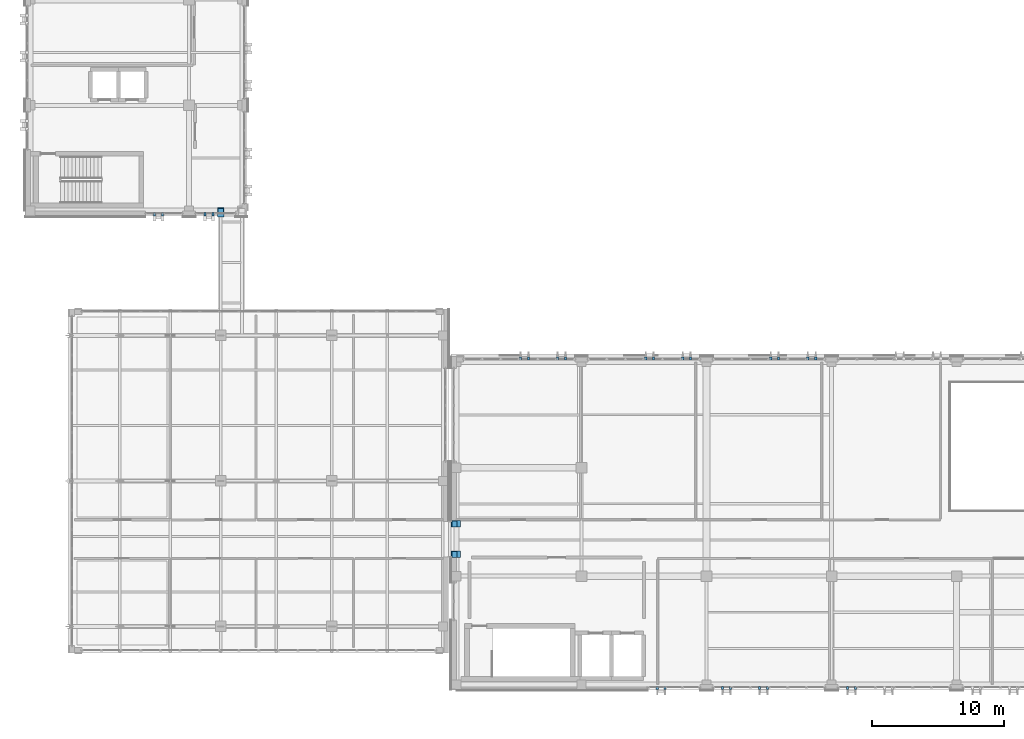
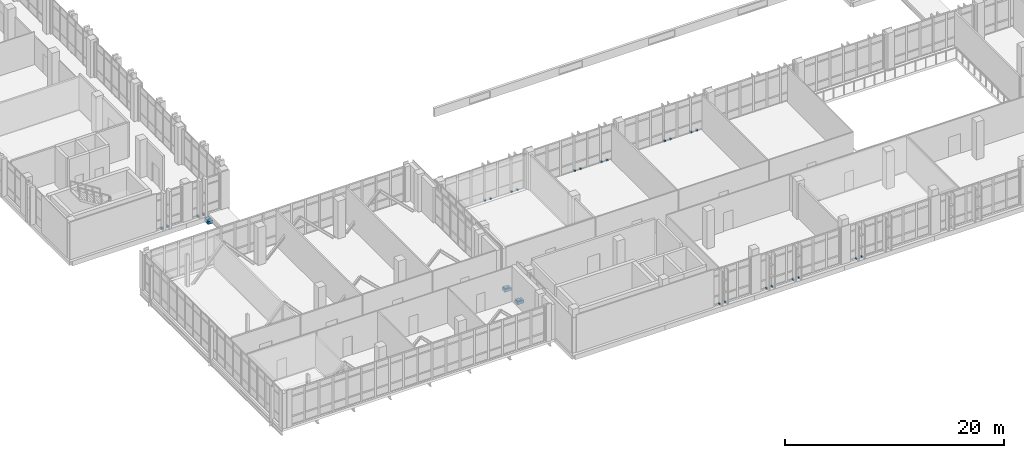
# One storey, part 137 of 158: 30 discrete accessories.
"""IFC4 building model written with IfcOpenShell, lengths in metres."""

from ifc_helpers import new_model, si_unit, direction, frame, origin, origin_2d, place, context, subcontext, project, spatial, rectangle, extrude, material, type_object, element, save


model = new_model("IFC4")

# Units and contexts
model_context = context("Model", 3, precision=1e-05, world=origin(), true_north=direction((0.0, 1.0)))
body_context = subcontext(model_context, "Body", "Model", "MODEL_VIEW")
ifc_project = project(units=[si_unit("LENGTHUNIT", "METRE"), si_unit("AREAUNIT", "SQUARE_METRE"), si_unit("VOLUMEUNIT", "CUBIC_METRE"), si_unit("PLANEANGLEUNIT", "RADIAN"), si_unit("MASSUNIT", "GRAM", prefix="KILO")], contexts=[model_context])

# Site, building, storey
site_placement = place(None, origin())
site = spatial("IfcSite", under=ifc_project, at=site_placement, CompositionType="ELEMENT")
building_placement = place(site_placement, origin())
building = spatial("IfcBuilding", under=site, at=building_placement, Name="Qalavern Law Courts", CompositionType="ELEMENT")
storey_placement = place(building_placement, frame((0.0, 0.0, 18.60009765625)))
storey = spatial("IfcBuildingStorey", under=building, at=storey_placement, Name="L04", CompositionType="ELEMENT", Elevation=18.60009765625)

# Discrete accessories
ifc_material_1 = material(Name="Steel S355", Category="steel")
discrete_accessory_type_1 = type_object("IfcDiscreteAccessoryType", Name="ENV-BRK-FIN", PredefinedType="BRACKET", material=ifc_material_1)
for number, where, z_axis, x_axis, name in (
    (1, (49.800048828125, 5.340087890625, -0.06982421875), (0.0, 0.0, 1.0), (0.0, -1.0, 0.0), "Stone blade anchor bracket 0145"),
    (2, (50.39990234375, 5.340087890625, -0.06982421875), (0.0, 0.0, 1.0), (0.0, -1.0, 0.0), "Stone blade anchor bracket 0146"),
    (3, (54.728515625, 5.340087890625, -0.06982421875), (0.0, 0.0, 1.0), (0.0, -1.0, 0.0), "Stone blade anchor bracket 0147"),
    (4, (55.32861328125, 5.340087890625, -0.06982421875), (0.0, 0.0, 1.0), (0.0, -1.0, 0.0), "Stone blade anchor bracket 0148"),
    (5, (57.528564453125, 5.340087890625, -0.06982421875), (0.0, 0.0, 1.0), (0.0, -1.0, 0.0), "Stone blade anchor bracket 0149"),
    (6, (58.128662109375, 5.340087890625, -0.06982421875), (0.0, 0.0, 1.0), (0.0, -1.0, 0.0), "Stone blade anchor bracket 0150"),
    (7, (64.182861328125, 5.340087890625, -0.06982421875), (0.0, 0.0, 1.0), (0.0, -1.0, 0.0), "Stone blade anchor bracket 0151"),
    (8, (64.782958984375, 5.340087890625, -0.06982421875), (0.0, 0.0, 1.0), (0.0, -1.0, 0.0), "Stone blade anchor bracket 0152"),
    (9, (61.782958984375, 30.260009765625, -0.06982421875), (0.0, 0.0, 1.0), (0.0, 1.0, 0.0), "Stone blade anchor bracket 0183"),
    (10, (61.182861328125, 30.260009765625, -0.06982421875), (0.0, 0.0, 1.0), (0.0, 1.0, 0.0), "Stone blade anchor bracket 0184"),
    (11, (58.98291015625, 30.260009765625, -0.06982421875), (0.0, 0.0, 1.0), (0.0, 1.0, 0.0), "Stone blade anchor bracket 0185"),
    (12, (58.3828125, 30.260009765625, -0.06982421875), (0.0, 0.0, 1.0), (0.0, 1.0, 0.0), "Stone blade anchor bracket 0186"),
    (13, (52.32861328125, 30.260009765625, -0.06982421875), (0.0, 0.0, 1.0), (0.0, 1.0, 0.0), "Stone blade anchor bracket 0187"),
    (14, (51.728515625, 30.260009765625, -0.06982421875), (0.0, 0.0, 1.0), (0.0, 1.0, 0.0), "Stone blade anchor bracket 0188"),
    (15, (49.528564453125, 30.260009765625, -0.06982421875), (0.0, 0.0, 1.0), (0.0, 1.0, 0.0), "Stone blade anchor bracket 0189"),
    (16, (48.9287109375, 30.260009765625, -0.06982421875), (0.0, 0.0, 1.0), (0.0, 1.0, 0.0), "Stone blade anchor bracket 0190"),
    (17, (42.874267578125, 30.260009765625, -0.06982421875), (0.0, 0.0, 1.0), (0.0, 1.0, 0.0), "Stone blade anchor bracket 0191"),
    (18, (42.2744140625, 30.260009765625, -0.06982421875), (0.0, 0.0, 1.0), (0.0, 1.0, 0.0), "Stone blade anchor bracket 0192"),
    (19, (40.07421875, 30.260009765625, -0.06982421875), (0.0, 0.0, 1.0), (0.0, 1.0, 0.0), "Stone blade anchor bracket 0193"),
    (20, (39.474365234375, 30.260009765625, -0.06982421875), (0.0, 0.0, 1.0), (0.0, 1.0, 0.0), "Stone blade anchor bracket 0194"),
    (21, (11.800048828125, 41.159912109375, -0.06982421875), (0.0, 0.0, 1.0), (0.0, -1.0, 0.0), "Stone blade anchor bracket 0351"),
    (22, (12.39990234375, 41.159912109375, -0.06982421875), (0.0, 0.0, 1.0), (0.0, -1.0, 0.0), "Stone blade anchor bracket 0352"),
    (23, (15.60009765625, 41.159912109375, -0.06982421875), (0.0, 0.0, 1.0), (0.0, -1.0, 0.0), "Stone blade anchor bracket 0353"),
    (24, (16.199951171875, 41.159912109375, -0.06982421875), (0.0, 0.0, 1.0), (0.0, -1.0, 0.0), "Stone blade anchor bracket 0354"),
):
    element("IfcDiscreteAccessory", number, at=place(storey_placement, frame(where, z_axis=z_axis, x_axis=x_axis)), inside=storey, type_object=discrete_accessory_type_1, Name=name, PredefinedType="BRACKET", context=body_context, shape_type="SweptSolid", body=[
        extrude(rectangle(XDim=0.239990234375, YDim=0.159912109375, at=origin_2d()), origin(), (0.0, 0.0, 1.0), 0.179931640625),
    ])
ifc_material_2 = material(Name="Concrete C45/55", Category="concrete")
discrete_accessory_type_2 = type_object("IfcDiscreteAccessoryType", Name="STR-CORBEL-700", PredefinedType="BRACKET", material=ifc_material_2)
for number, where, z_axis, x_axis, name in (
    (25, (34.570068359375, 15.449951171875, -0.68017578125), (0.0, 0.0, 1.0), (1.0, 0.0, 0.0), "Bridge BR-V1-V2 700 mm corbel seat 1 L04"),
    (26, (34.570068359375, 17.75, -0.68017578125), (0.0, 0.0, 1.0), (1.0, 0.0, 0.0), "Bridge BR-V1-V2 700 mm corbel seat 2 L04"),
):
    element("IfcDiscreteAccessory", number, at=place(storey_placement, frame(where, z_axis=z_axis, x_axis=x_axis)), inside=storey, type_object=discrete_accessory_type_2, Name=name, PredefinedType="BRACKET", context=body_context, shape_type="SweptSolid", body=[
        extrude(rectangle(XDim=0.699951171875, YDim=0.5, at=origin_2d()), origin(), (0.0, 0.0, 1.0), 0.320068359375),
    ])
discrete_accessory_1_placement = place(storey_placement, frame((16.800048828125, 41.320068359375, -1.17822265625), z_axis=(0.0, 0.0, 1.0), x_axis=(1.0, 0.0, 0.0)))
element("IfcDiscreteAccessory", 27, at=discrete_accessory_1_placement, inside=storey, type_object=discrete_accessory_type_2, Name="Bridge BR-V1-V3 700 mm corbel seat 1 L04", PredefinedType="BRACKET", context=body_context, shape_type="SweptSolid", body=[
    extrude(rectangle(XDim=0.5, YDim=0.699951171875, at=origin_2d()), origin(), (0.0, 0.0, 1.0), 0.320068359375),
])
discrete_accessory_type_3 = type_object("IfcDiscreteAccessoryType", Name="STR-SHOE-PTFE350", PredefinedType="SHOE", material=ifc_material_1)
for number, where, z_axis, x_axis, name in (
    (28, (34.469970703125, 15.449951171875, -0.360107421875), (0.0, 0.0, 1.0), (1.0, 0.0, 0.0), "Seismic bridge PTFE sliding bearing 11"),
    (29, (34.469970703125, 17.75, -0.360107421875), (0.0, 0.0, 1.0), (1.0, 0.0, 0.0), "Seismic bridge PTFE sliding bearing 12"),
):
    element("IfcDiscreteAccessory", number, at=place(storey_placement, frame(where, z_axis=z_axis, x_axis=x_axis)), inside=storey, type_object=discrete_accessory_type_3, Name=name, PredefinedType="SHOE", context=body_context, shape_type="SweptSolid", body=[
        extrude(rectangle(XDim=0.35009765625, YDim=0.449951171875, at=origin_2d()), origin(), (0.0, 0.0, 1.0), 0.080078125),
    ])
discrete_accessory_2_placement = place(storey_placement, frame((16.800048828125, 41.419921875, -0.858154296875), z_axis=(0.0, 0.0, 1.0), x_axis=(1.0, 0.0, 0.0)))
element("IfcDiscreteAccessory", 30, at=discrete_accessory_2_placement, inside=storey, type_object=discrete_accessory_type_3, Name="Seismic bridge PTFE sliding bearing 31", PredefinedType="SHOE", context=body_context, shape_type="SweptSolid", body=[
    extrude(rectangle(XDim=0.449951171875, YDim=0.35009765625, at=origin_2d()), origin(), (0.0, 0.0, 1.0), 0.080078125),
])

save(model, "model.ifc")
